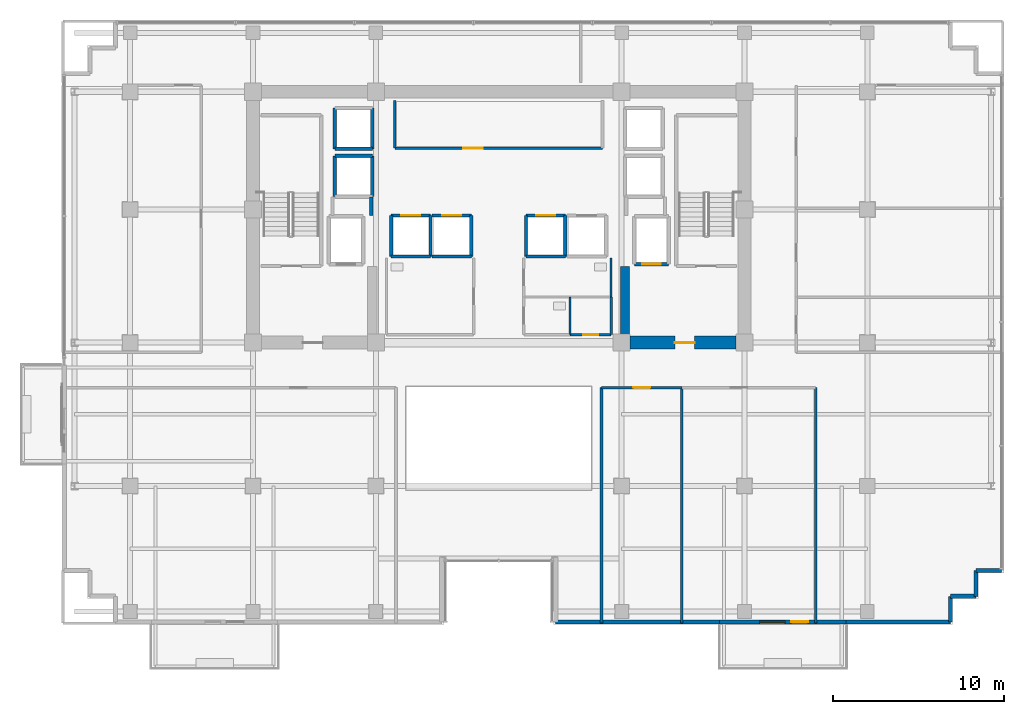
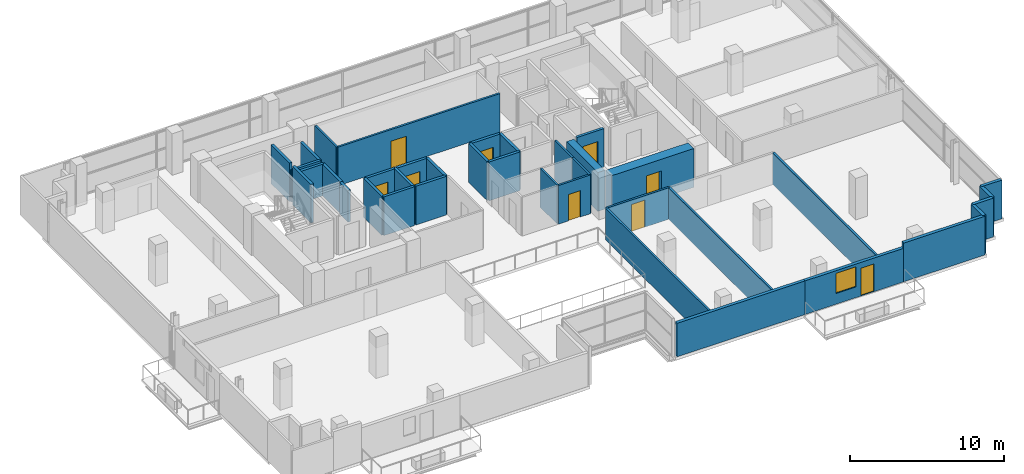
# One storey, part 16 of 23: 38 walls, 9 doors, 1 window, 10 openings.
"""IFC4 building model written with IfcOpenShell, lengths in metres."""

import ifcopenshell
import ifcopenshell.guid

model = None  # the IFC model being written
_history = None  # IfcOwnerHistory: only IFC2X3 demands one
_inside = {}  # id of a spatial element -> (the spatial element, [elements in it])
_under = {}  # id of a project, library or spatial element -> (it, [spatial elements below it])
_declared = {}  # id of a project -> (the project, [libraries it declares])
_typed = {}  # id of a type object -> (the type object, [elements of that type])
_made_of = {}  # id of a material, layer set ... -> (it, [elements and type objects made of it])


def new_model(schema):
    """Start an empty IFC model of exactly this schema.

    Asked for "IFC4X3", IfcOpenShell would pick the latest addendum, in which some entities
    have other attributes; the version numbers below select the first issue.
    IFC2X3 requires an IfcOwnerHistory on every rooted entity: one is made here for all.
    """
    global model, _history
    if schema == "IFC4X3":
        model = ifcopenshell.file(schema_version=(4, 3, 0, 0))
    else:
        model = ifcopenshell.file(schema=schema)
    _inside.clear()
    _under.clear()
    _declared.clear()
    _typed.clear()
    _made_of.clear()
    _history = None
    if model.schema == "IFC2X3":
        org = make("IfcOrganization", Name="unknown")
        user = make(
            "IfcPersonAndOrganization",
            ThePerson=make("IfcPerson", FamilyName="unknown"),
            TheOrganization=org,
        )
        app = make(
            "IfcApplication",
            ApplicationDeveloper=org,
            Version="unknown",
            ApplicationFullName="unknown",
            ApplicationIdentifier="unknown",
        )
        _history = make(
            "IfcOwnerHistory",
            OwningUser=user,
            OwningApplication=app,
            ChangeAction="ADDED",
            CreationDate=0,
        )
    return model


def make(cls, **values):
    """One entity of the class cls with the attributes given. An attribute that is None is left unset."""
    return model.create_entity(
        cls, **{name: value for name, value in values.items() if value is not None}
    )


def rooted(cls, **values):
    """An entity with a GlobalId (a new one), such as an element, a storey or a relation."""
    return make(cls, GlobalId=ifcopenshell.guid.new(), OwnerHistory=_history, **values)


def si_unit(unit_type, name, prefix=None):
    """IfcSIUnit, for example si_unit("LENGTHUNIT", "METRE", prefix="MILLI")."""
    return make("IfcSIUnit", UnitType=unit_type, Prefix=prefix, Name=name)


def assignment(units):
    """IfcUnitAssignment: the units of a project."""
    return None if units is None else make("IfcUnitAssignment", Units=units)


def point(xyz):
    """IfcCartesianPoint."""
    return None if xyz is None else make("IfcCartesianPoint", Coordinates=xyz)


def direction(xyz):
    """IfcDirection."""
    return None if xyz is None else make("IfcDirection", DirectionRatios=xyz)


def frame(location, z_axis=None, x_axis=None):
    """IfcAxis2Placement3D, a coordinate frame: its origin and axes. An axis left out is left unset."""
    return make(
        "IfcAxis2Placement3D",
        Location=point(location),
        Axis=direction(z_axis),
        RefDirection=direction(x_axis),
    )


def frame_2d(location, x_axis=None):
    """IfcAxis2Placement2D, a coordinate frame in the plane: its origin and x axis."""
    return make(
        "IfcAxis2Placement2D", Location=point(location), RefDirection=direction(x_axis)
    )


def origin():
    """The frame at (0, 0, 0) with its axes left unset."""
    return frame((0.0, 0.0, 0.0))


def place(relative_to, where):
    """IfcLocalPlacement: puts the frame where relative to a parent placement (None: the world)."""
    return make(
        "IfcLocalPlacement", PlacementRelTo=relative_to, RelativePlacement=where
    )


def context(
    kind, dimensions, precision=None, world=None, true_north=None, identifier=None
):
    """IfcGeometricRepresentationContext, for example the 3D "Model" context."""
    return make(
        "IfcGeometricRepresentationContext",
        ContextIdentifier=identifier,
        ContextType=kind,
        CoordinateSpaceDimension=dimensions,
        Precision=precision,
        WorldCoordinateSystem=world,
        TrueNorth=true_north,
    )


def subcontext(parent, identifier, kind, view, scale=None):
    """IfcGeometricRepresentationSubContext, for example "Body" below "Model"."""
    return make(
        "IfcGeometricRepresentationSubContext",
        ContextIdentifier=identifier,
        ContextType=kind,
        ParentContext=parent,
        TargetScale=scale,
        TargetView=view,
    )


def project(units=None, contexts=None):
    """IfcProject with its units and contexts."""
    return rooted(
        "IfcProject",
        Name="project",
        RepresentationContexts=contexts,
        UnitsInContext=assignment(units),
    )


def spatial(cls, under=None, at=None, **own):
    """A site, building, storey or space (cls), placed at a placement, below another one or the project."""
    s = rooted(cls, ObjectPlacement=at, **own)
    if under is not None:
        _under.setdefault(under.id(), (under, []))[1].append(s)
    return s


def profile(cls, at=None, kind="AREA", **sizes):
    """A parametric profile (cls). Its sizes go by their IFC names, for example OverallWidth=200.0."""
    return make(cls, ProfileType=kind, Position=at, **sizes)


def rectangle(**sizes):
    """IfcRectangleProfileDef."""
    return profile("IfcRectangleProfileDef", **sizes)


def extrude(swept, where, along, depth):
    """IfcExtrudedAreaSolid: the profile swept, set in the frame where, extruded along a direction by depth."""
    return make(
        "IfcExtrudedAreaSolid",
        SweptArea=swept,
        Position=where,
        ExtrudedDirection=direction(along),
        Depth=depth,
    )


def shape(context_of_items, identifier, shape_type, items):
    """IfcShapeRepresentation: the items that make up one representation, for example the "Body"."""
    return make(
        "IfcShapeRepresentation",
        ContextOfItems=context_of_items,
        RepresentationIdentifier=identifier,
        RepresentationType=shape_type,
        Items=items,
    )


def source(mapping_origin, context_of_items, identifier, shape_type, items):
    """IfcRepresentationMap: a shape defined once, which mapped items show again and again."""
    return make(
        "IfcRepresentationMap",
        MappingOrigin=mapping_origin,
        MappedRepresentation=shape(context_of_items, identifier, shape_type, items),
    )


def transform(
    local_origin,
    x_axis=None,
    y_axis=None,
    z_axis=None,
    scale=None,
    scale2=None,
    scale3=None,
    uniform=True,
):
    """IfcCartesianTransformationOperator3D, or its non-uniform kind. x_axis, y_axis, z_axis: its Axis1, 2, 3."""
    if uniform:
        return make(
            "IfcCartesianTransformationOperator3D",
            Axis1=direction(x_axis),
            Axis2=direction(y_axis),
            LocalOrigin=point(local_origin),
            Scale=scale,
            Axis3=direction(z_axis),
        )
    return make(
        "IfcCartesianTransformationOperator3DnonUniform",
        Axis1=direction(x_axis),
        Axis2=direction(y_axis),
        LocalOrigin=point(local_origin),
        Scale=scale,
        Axis3=direction(z_axis),
        Scale2=scale2,
        Scale3=scale3,
    )


def mapped(mapping_source, mapping_target):
    """IfcMappedItem: shows the shape of a source again, moved by a transform."""
    return make(
        "IfcMappedItem", MappingSource=mapping_source, MappingTarget=mapping_target
    )


def material(Name=None, Category=None):
    """IfcMaterial."""
    return make("IfcMaterial", Name=Name, Category=Category)


def layer(
    of_material, thickness, ventilated=None, Name=None, Category=None, Priority=None
):
    """IfcMaterialLayer: one layer of a wall or slab, of a material (None: an air gap)."""
    return make(
        "IfcMaterialLayer",
        Material=of_material,
        LayerThickness=thickness,
        IsVentilated=ventilated,
        Name=Name,
        Category=Category,
        Priority=Priority,
    )


def layer_set(layers, Name=None):
    """IfcMaterialLayerSet."""
    return make("IfcMaterialLayerSet", MaterialLayers=layers, LayerSetName=Name)


def made_of(thing, what):
    """Note that an element or type object is made of a material, layer set ...; save() writes the relation."""
    if what is not None:
        _made_of.setdefault(what.id(), (what, []))[1].append(thing)
    return thing


def type_object(cls, material=None, **own):
    """A type object (cls), such as IfcWallType, which elements share."""
    return made_of(rooted(cls, **own), material)


def element(
    cls,
    number,
    at=None,
    inside=None,
    cuts=None,
    type_object=None,
    material=None,
    context=None,
    identifier="Body",
    shape_type=None,
    held_by="IfcProductDefinitionShape",
    body=None,
    shapes=None,
    **own,
):
    """One element of the class cls, such as IfcWall. Its Tag is "e" and its number.

    at: its placement. inside: the storey or other place that contains it. cuts: it is an
    opening in that element (IfcRelVoidsElement). A single representation is given by context,
    identifier, shape_type and body (its items); several are given by shapes. held_by: the class
    of the entity that holds the representations. save() writes the other relations.
    """
    e = rooted(cls, Tag="e%d" % number, ObjectPlacement=at, **own)
    if body is not None:
        shapes = [shape(context, identifier, shape_type, body)]
    if shapes is not None:
        e.Representation = make(held_by, Representations=shapes)
    if inside is not None:
        _inside.setdefault(inside.id(), (inside, []))[1].append(e)
    if cuts is not None:
        rooted(
            "IfcRelVoidsElement", RelatingBuildingElement=cuts, RelatedOpeningElement=e
        )
    if type_object is not None:
        _typed.setdefault(type_object.id(), (type_object, []))[1].append(e)
    return made_of(e, material)


def fill(opening, filler):
    """IfcRelFillsElement: the door or window that sits in an opening."""
    return rooted(
        "IfcRelFillsElement",
        RelatingOpeningElement=opening,
        RelatedBuildingElement=filler,
    )


def aggregate(whole, parts):
    """IfcRelAggregates: a whole, such as a stair, and the parts it consists of."""
    return rooted("IfcRelAggregates", RelatingObject=whole, RelatedObjects=parts)


def save(model, path):
    """Write the relations noted so far, then the file.

    IfcRelAggregates (storeys below a building ...), IfcRelContainedInSpatialStructure (elements
    in a storey), IfcRelDefinesByType, IfcRelAssociatesMaterial and IfcRelDeclares: one each for
    every whole, place, type object, material and project.
    """
    for whole, parts in _under.values():
        aggregate(whole, parts)
    for where, things in _inside.values():
        rooted(
            "IfcRelContainedInSpatialStructure",
            RelatedElements=things,
            RelatingStructure=where,
        )
    for kind, things in _typed.values():
        rooted("IfcRelDefinesByType", RelatedObjects=things, RelatingType=kind)
    for what, things in _made_of.values():
        rooted("IfcRelAssociatesMaterial", RelatedObjects=things, RelatingMaterial=what)
    for by, libraries in _declared.values():
        rooted("IfcRelDeclares", RelatingContext=by, RelatedDefinitions=libraries)
    model.write(path)


model = new_model("IFC4")

# Units and contexts
model_context = context("Model", 3, precision=1e-05, world=origin(), true_north=direction((0.0, 1.0)))
body_context = subcontext(model_context, "Body", "Model", "MODEL_VIEW")
ifc_project = project(units=[si_unit("LENGTHUNIT", "METRE"), si_unit("AREAUNIT", "SQUARE_METRE"), si_unit("VOLUMEUNIT", "CUBIC_METRE"), si_unit("PLANEANGLEUNIT", "RADIAN"), si_unit("MASSUNIT", "GRAM", prefix="KILO")], contexts=[model_context])

# Site, building, storey
site_placement = place(None, origin())
site = spatial("IfcSite", under=ifc_project, at=site_placement, CompositionType="ELEMENT")
building_placement = place(site_placement, origin())
building = spatial("IfcBuilding", under=site, at=building_placement, Name="Zarnakvel Exchange Tower", CompositionType="ELEMENT")
storey_placement = place(building_placement, frame((0.0, 0.0, 123.10009765625)))
storey = spatial("IfcBuildingStorey", under=building, at=storey_placement, Name="L34", CompositionType="ELEMENT", Elevation=123.10009765625)

# Wall, opening, door
ifc_material_1 = material(Name="Concrete C60/75", Category="concrete")
ifc_layer_1 = layer(ifc_material_1, 0.75)
ifc_layer_set_1 = layer_set([ifc_layer_1], Name="Concrete C60/75")
wall_type_1 = type_object("IfcWallType", Name="CW-C3", PredefinedType="SHEAR", material=ifc_layer_set_1)
wall_1_placement = place(storey_placement, frame((13.89990234375, -1.199951171875, 0.0), z_axis=(0.0, 0.0, 1.0), x_axis=(-1.0, 0.0, 0.0)))
wall_1 = element("IfcWall", 1, at=wall_1_placement, inside=storey, type_object=wall_type_1, Name="L34 Rear Core Shear Wall SE (CW-C3)", PredefinedType="SHEAR", context=body_context, shape_type="SweptSolid", body=[
    extrude(rectangle(XDim=6.199951171875, YDim=0.75, at=frame_2d((3.10009765625, 0.0))), origin(), (0.0, 0.0, 1.0), 3.074951171875),
])
opening_1_placement = place(wall_1_placement, frame((2.425048828125, 0.0, 0.0)))
opening_1 = element("IfcOpeningElement", 2, at=opening_1_placement, cuts=wall_1, Name="Opening D-L34-04", PredefinedType="OPENING", context=body_context, shape_type="SweptSolid", body=[
    extrude(rectangle(XDim=1.14990234375, YDim=2.14990234375, at=frame_2d((0.574951171875, 1.074951171875))), frame((0.0, 0.385009765625, 0.0), z_axis=(0.0, -1.0, 0.0), x_axis=(1.0, 0.0, 0.0)), (0.0, 0.0, 1.0), 0.77001953125),
])
ifc_material_2 = material(Name="Painted Galvanised Steel S355", Category="steel")
door_type_1 = type_object("IfcDoorType", Name="DT-04", OperationType="NOTDEFINED", PredefinedType="DOOR", material=ifc_material_2)
shared_shape_1 = source(origin(), body_context, "Body", "SweptSolid", [
    extrude(rectangle(XDim=1.14990234375, YDim=2.14990234375, at=frame_2d((0.574951171875, 1.074951171875))), frame((0.0, 0.02490234375, 0.0), z_axis=(0.0, -1.0, 0.0), x_axis=(1.0, 0.0, 0.0)), (0.0, 0.0, 1.0), 0.050048828125),
])
door_1_placement = place(opening_1_placement, origin())
door_1 = element("IfcDoor", 3, at=door_1_placement, inside=storey, type_object=door_type_1, Name="L34 Firefighting Lobby East Door D-L34-04", OperationType="SINGLE_SWING_RIGHT", OverallHeight=2.14990234375, OverallWidth=1.14990234375, PredefinedType="DOOR", context=body_context, shape_type="MappedRepresentation", body=[
    mapped(shared_shape_1, transform((0.0, 0.0, 0.0), x_axis=(1.0, 0.0, 0.0), y_axis=(0.0, 1.0, 0.0), z_axis=(0.0, 0.0, 1.0), scale=1.0)),
])
fill(opening_1, door_1)

# Wall
ifc_layer_2 = layer(ifc_material_1, 0.550048828125)
ifc_layer_set_2 = layer_set([ifc_layer_2], Name="Concrete C60/75")
wall_type_2 = type_object("IfcWallType", Name="CW-C4", PredefinedType="SHEAR", material=ifc_layer_set_2)
wall_2_placement = place(storey_placement, frame((7.39990234375, -0.824951171875, 0.0), z_axis=(0.0, 0.0, 1.0), x_axis=(0.0, 1.0, 0.0)))
element("IfcWall", 4, at=wall_2_placement, inside=storey, type_object=wall_type_2, Name="L34 Rear Core Shear Wall IE (CW-C4)", PredefinedType="SHEAR", context=body_context, shape_type="SweptSolid", body=[
    extrude(rectangle(XDim=4.074951171875, YDim=0.550048828125, at=frame_2d((2.03759765625, 0.0))), origin(), (0.0, 0.0, 1.0), 3.074951171875),
])

# Wall, openings, door, window
ifc_material_3 = material(Name="Precast concrete C40/50", Category="concrete")
ifc_layer_3 = layer(ifc_material_3, 0.239990234375)
ifc_layer_set_3 = layer_set([ifc_layer_3], Name="Precast concrete C40/50")
wall_type_3 = type_object("IfcWallType", Name="EW-02", PredefinedType="SOLIDWALL", material=ifc_layer_set_3)
wall_3_placement = place(storey_placement, frame((20.35009765625, -17.56005859375, 0.0), z_axis=(0.0, 0.0, 1.0), x_axis=(-1.0, 0.0, 0.0)))
wall_3 = element("IfcWall", 5, at=wall_3_placement, inside=storey, type_object=wall_type_3, Name="L34 Exterior Precast Spandrel Wall EW-BAL-L34-SE (EW-02)", PredefinedType="SOLIDWALL", context=body_context, shape_type="SweptSolid", body=[
    extrude(rectangle(XDim=7.400146484375, YDim=0.239990234375, at=frame_2d((3.7001953125, 0.0))), origin(), (0.0, 0.0, 1.0), 2.664794921875),
])
opening_2_placement = place(wall_3_placement, frame((2.219970703125, 0.0, 0.0)))
opening_2 = element("IfcOpeningElement", 6, at=opening_2_placement, cuts=wall_3, Name="Opening BD-L34-02", PredefinedType="OPENING", context=body_context, shape_type="SweptSolid", body=[
    extrude(rectangle(XDim=1.0, YDim=2.199951171875, at=frame_2d((0.5, 1.10009765625))), frame((0.0, 0.1298828125, 0.0), z_axis=(0.0, -1.0, 0.0), x_axis=(1.0, 0.0, 0.0)), (0.0, 0.0, 1.0), 0.260009765625),
])
opening_3_placement = place(wall_3_placement, frame((3.570068359375, 0.0, 0.85009765625)))
opening_3 = element("IfcOpeningElement", 7, at=opening_3_placement, cuts=wall_3, Name="Opening WN-03", PredefinedType="OPENING", context=body_context, shape_type="SweptSolid", body=[
    extrude(rectangle(XDim=1.5, YDim=1.60009765625, at=frame_2d((0.75, 0.800048828125))), frame((0.0, 0.1298828125, 0.0), z_axis=(0.0, -1.0, 0.0), x_axis=(1.0, 0.0, 0.0)), (0.0, 0.0, 1.0), 0.260009765625),
])
ifc_material_4 = material(Name="Architectural Bronze Anodised Aluminium", Category="aluminium")
door_type_2 = type_object("IfcDoorType", Name="DT-09", OperationType="NOTDEFINED", PredefinedType="DOOR", material=ifc_material_4)
shared_shape_2 = source(origin(), body_context, "Body", "SweptSolid", [
    extrude(rectangle(XDim=1.0, YDim=2.199951171875, at=frame_2d((0.5, 1.10009765625))), frame((0.0, 0.02490234375, 0.0), z_axis=(0.0, -1.0, 0.0), x_axis=(1.0, 0.0, 0.0)), (0.0, 0.0, 1.0), 0.050048828125),
])
door_2_placement = place(opening_2_placement, origin())
door_2 = element("IfcDoor", 8, at=door_2_placement, inside=storey, type_object=door_type_2, Name="L34 Planted Loggia Balcony Door BD-L34-02", OperationType="SINGLE_SWING_LEFT", OverallHeight=2.199951171875, OverallWidth=1.0, PredefinedType="DOOR", context=body_context, shape_type="MappedRepresentation", body=[
    mapped(shared_shape_2, transform((0.0, 0.0, 0.0), x_axis=(1.0, 0.0, 0.0), y_axis=(0.0, 1.0, 0.0), z_axis=(0.0, 0.0, 1.0), scale=1.0)),
])
fill(opening_2, door_2)
ifc_material_5 = material(Name="Double Low-E Laminated Vision Glass", Category="glass")
window_type = type_object("IfcWindowType", Name="WN-03", PartitioningType="SINGLE_PANEL", PredefinedType="WINDOW", material=ifc_material_5)
shared_shape_3 = source(origin(), body_context, "Body", "SweptSolid", [
    extrude(rectangle(XDim=1.5, YDim=1.60009765625, at=frame_2d((0.75, 0.800048828125))), frame((0.0, 0.030029296875, 0.0), z_axis=(0.0, -1.0, 0.0), x_axis=(1.0, 0.0, 0.0)), (0.0, 0.0, 1.0), 0.06005859375),
])
window_placement = place(opening_3_placement, origin())
window = element("IfcWindow", 9, at=window_placement, inside=storey, type_object=window_type, Name="L34 Loggia Daylight Window (WN-03)", OverallHeight=1.60009765625, OverallWidth=1.5, PartitioningType="SINGLE_PANEL", PredefinedType="WINDOW", context=body_context, shape_type="MappedRepresentation", body=[
    mapped(shared_shape_3, transform((0.0, 0.0, 0.0), x_axis=(1.0, 0.0, 0.0), y_axis=(0.0, 1.0, 0.0), z_axis=(0.0, 0.0, 1.0), scale=1.0)),
])
fill(opening_3, window)

# Walls
for number, where, z_axis, x_axis, name in (
    (10, (27.9599609375, -14.56005859375, 0.0), (0.0, 0.0, 1.0), (1.0, 0.0, 0.0), "L34 Exterior Precast Spandrel Wall EWC-L34-11 (EW-02)"),
    (11, (27.9599609375, -16.06005859375, 0.0), (0.0, 0.0, 1.0), (0.0, 1.0, 0.0), "L34 Exterior Precast Spandrel Wall EWC-L34-12 (EW-02)"),
    (12, (26.4599609375, -16.06005859375, 0.0), (0.0, 0.0, 1.0), (1.0, 0.0, 0.0), "L34 Exterior Precast Spandrel Wall EWC-L34-13 (EW-02)"),
    (13, (26.4599609375, -17.56005859375, 0.0), (0.0, 0.0, 1.0), (0.0, 1.0, 0.0), "L34 Exterior Precast Spandrel Wall EWC-L34-14 (EW-02)"),
):
    element("IfcWall", number, at=place(storey_placement, frame(where, z_axis=z_axis, x_axis=x_axis)), inside=storey, type_object=wall_type_3, Name=name, PredefinedType="SOLIDWALL", context=body_context, shape_type="SweptSolid", body=[
        extrude(rectangle(XDim=1.5, YDim=0.239990234375, at=frame_2d((0.75, 0.0))), origin(), (0.0, 0.0, 1.0), 3.074951171875),
    ])
wall_4_placement = place(storey_placement, frame((20.35009765625, -17.56005859375, 0.0), z_axis=(0.0, 0.0, 1.0), x_axis=(1.0, 0.0, 0.0)))
element("IfcWall", 14, at=wall_4_placement, inside=storey, type_object=wall_type_3, Name="L34 Exterior Precast Spandrel Wall EWC-L34-15 (EW-02)", PredefinedType="SOLIDWALL", context=body_context, shape_type="SweptSolid", body=[
    extrude(rectangle(XDim=6.10986328125, YDim=0.239990234375, at=frame_2d((3.054931640625, 0.0))), origin(), (0.0, 0.0, 1.0), 3.074951171875),
])
wall_5_placement = place(storey_placement, frame((3.340087890625, -17.56005859375, 0.0), z_axis=(0.0, 0.0, 1.0), x_axis=(1.0, 0.0, 0.0)))
element("IfcWall", 15, at=wall_5_placement, inside=storey, type_object=wall_type_3, Name="L34 Exterior Precast Spandrel Wall EWC-L34-16 (EW-02)", PredefinedType="SOLIDWALL", context=body_context, shape_type="SweptSolid", body=[
    extrude(rectangle(XDim=9.60986328125, YDim=0.239990234375, at=frame_2d((4.804931640625, 0.0))), origin(), (0.0, 0.0, 1.0), 2.664794921875),
])

# Wall, opening, door
ifc_material_6 = material(Name="Fire-Rated Gypsum Stud Partition", Category="gypsum")
ifc_layer_4 = layer(ifc_material_6, 0.14990234375)
ifc_layer_set_4 = layer_set([ifc_layer_4], Name="Fire-Rated Gypsum Stud Partition")
wall_type_4 = type_object("IfcWallType", Name="PT-01", PredefinedType="PARTITIONING", material=ifc_layer_set_4)
wall_6_placement = place(storey_placement, frame((6.080078125, 10.199951171875, 0.0), z_axis=(0.0, 0.0, 1.0), x_axis=(-1.0, 0.0, 0.0)))
wall_6 = element("IfcWall", 16, at=wall_6_placement, inside=storey, type_object=wall_type_4, Name="L34 Partition Wall PWALL-L34-011 (PT-01)", PredefinedType="PARTITIONING", context=body_context, shape_type="SweptSolid", body=[
    extrude(rectangle(XDim=12.16015625, YDim=0.14990234375, at=frame_2d((6.080078125, 0.0))), origin(), (0.0, 0.0, 1.0), 3.074951171875),
])
opening_4_placement = place(wall_6_placement, frame((7.0048828125, 0.0, 0.0)))
opening_4 = element("IfcOpeningElement", 17, at=opening_4_placement, cuts=wall_6, Name="Opening D-L34-05", PredefinedType="OPENING", context=body_context, shape_type="SweptSolid", body=[
    extrude(rectangle(XDim=1.14990234375, YDim=2.14990234375, at=frame_2d((0.574951171875, 1.074951171875))), frame((0.0, 0.0849609375, 0.0), z_axis=(0.0, -1.0, 0.0), x_axis=(1.0, 0.0, 0.0)), (0.0, 0.0, 1.0), 0.169921875),
])
door_3_placement = place(opening_4_placement, origin())
door_3 = element("IfcDoor", 18, at=door_3_placement, inside=storey, type_object=door_type_1, Name="L34 Market Data Archive Suite Door D-L34-05", OperationType="SINGLE_SWING_LEFT", OverallHeight=2.14990234375, OverallWidth=1.14990234375, PredefinedType="DOOR", context=body_context, shape_type="MappedRepresentation", body=[
    mapped(shared_shape_1, transform((0.0, 0.0, 0.0), x_axis=(1.0, 0.0, 0.0), y_axis=(0.0, 1.0, 0.0), z_axis=(0.0, 0.0, 1.0), scale=1.0)),
])
fill(opening_4, door_3)

# Wall
wall_7_placement = place(storey_placement, frame((-6.080078125, 10.199951171875, 0.0), z_axis=(0.0, 0.0, 1.0), x_axis=(0.0, 1.0, 0.0)))
element("IfcWall", 19, at=wall_7_placement, inside=storey, type_object=wall_type_4, Name="L34 Partition Wall PWALL-L34-012 (PT-01)", PredefinedType="PARTITIONING", context=body_context, shape_type="SweptSolid", body=[
    extrude(rectangle(XDim=2.800048828125, YDim=0.14990234375, at=frame_2d((1.39990234375, 0.0))), origin(), (0.0, 0.0, 1.0), 3.074951171875),
])

# Wall, opening, door
wall_8_placement = place(storey_placement, frame((6.580078125, -0.72998046875, 0.0), z_axis=(0.0, 0.0, 1.0), x_axis=(-1.0, 0.0, 0.0)))
wall_8 = element("IfcWall", 20, at=wall_8_placement, inside=storey, type_object=wall_type_4, Name="L34 Partition Wall PWALL-L34-023 (PT-01)", PredefinedType="PARTITIONING", context=body_context, shape_type="SweptSolid", body=[
    extrude(rectangle(XDim=2.400146484375, YDim=0.14990234375, at=frame_2d((1.2001953125, 0.0))), origin(), (0.0, 0.0, 1.0), 3.074951171875),
])
opening_5_placement = place(wall_8_placement, frame((0.760009765625, 0.0, 0.0)))
opening_5 = element("IfcOpeningElement", 21, at=opening_5_placement, cuts=wall_8, Name="Opening D-L34-09", PredefinedType="OPENING", context=body_context, shape_type="SweptSolid", body=[
    extrude(rectangle(XDim=0.8798828125, YDim=2.10009765625, at=frame_2d((0.43994140625, 1.050048828125))), frame((0.0, 0.0849609375, 0.0), z_axis=(0.0, -1.0, 0.0), x_axis=(1.0, 0.0, 0.0)), (0.0, 0.0, 1.0), 0.169921875),
])
door_type_3 = type_object("IfcDoorType", Name="DT-08", OperationType="NOTDEFINED", PredefinedType="DOOR", material=ifc_material_2)
shared_shape_4 = source(origin(), body_context, "Body", "SweptSolid", [
    extrude(rectangle(XDim=0.8798828125, YDim=2.10009765625, at=frame_2d((0.43994140625, 1.050048828125))), frame((0.0, 0.02490234375, 0.0), z_axis=(0.0, -1.0, 0.0), x_axis=(1.0, 0.0, 0.0)), (0.0, 0.0, 1.0), 0.050048828125),
])
door_4_placement = place(opening_5_placement, origin())
door_4 = element("IfcDoor", 22, at=door_4_placement, inside=storey, type_object=door_type_3, Name="L34 Cleaners Store Door D-L34-09", OperationType="SINGLE_SWING_LEFT", OverallHeight=2.10009765625, OverallWidth=0.8798828125, PredefinedType="DOOR", context=body_context, shape_type="MappedRepresentation", body=[
    mapped(shared_shape_4, transform((0.0, 0.0, 0.0), x_axis=(1.0, 0.0, 0.0), y_axis=(0.0, 1.0, 0.0), z_axis=(0.0, 0.0, 1.0), scale=1.0)),
])
fill(opening_5, door_4)

# Wall
wall_9_placement = place(storey_placement, frame((6.580078125, 1.47998046875, 0.0), z_axis=(0.0, 0.0, 1.0), x_axis=(0.0, -1.0, 0.0)))
element("IfcWall", 23, at=wall_9_placement, inside=storey, type_object=wall_type_4, Name="L34 Partition Wall PWALL-L34-024 (PT-01)", PredefinedType="PARTITIONING", context=body_context, shape_type="SweptSolid", body=[
    extrude(rectangle(XDim=2.2099609375, YDim=0.14990234375, at=frame_2d((1.10498046875, 0.0))), origin(), (0.0, 0.0, 1.0), 3.074951171875),
])

# Wall, opening, door
wall_10_placement = place(storey_placement, frame((6.02001953125, -3.830078125, 0.0), z_axis=(0.0, 0.0, 1.0), x_axis=(1.0, 0.0, 0.0)))
wall_10 = element("IfcWall", 24, at=wall_10_placement, inside=storey, type_object=wall_type_4, Name="L34 Partition Wall PWALL-L34-030 (PT-01)", PredefinedType="PARTITIONING", context=body_context, shape_type="SweptSolid", body=[
    extrude(rectangle(XDim=4.708984375, YDim=0.14990234375, at=frame_2d((2.3544921875, 0.0))), origin(), (0.0, 0.0, 1.0), 2.514892578125),
])
opening_6_placement = place(wall_10_placement, frame((1.864990234375, 0.0, 0.0)))
opening_6 = element("IfcOpeningElement", 25, at=opening_6_placement, cuts=wall_10, Name="Opening D-L34-11", PredefinedType="OPENING", context=body_context, shape_type="SweptSolid", body=[
    extrude(rectangle(XDim=0.97998046875, YDim=2.14990234375, at=frame_2d((0.489990234375, 1.074951171875))), frame((0.0, 0.0849609375, 0.0), z_axis=(0.0, -1.0, 0.0), x_axis=(1.0, 0.0, 0.0)), (0.0, 0.0, 1.0), 0.169921875),
])
ifc_material_7 = material(Name="Timber Acoustic Veneer", Category="wood")
door_type_4 = type_object("IfcDoorType", Name="DT-05", OperationType="NOTDEFINED", PredefinedType="DOOR", material=ifc_material_7)
shared_shape_5 = source(origin(), body_context, "Body", "SweptSolid", [
    extrude(rectangle(XDim=0.97998046875, YDim=2.14990234375, at=frame_2d((0.489990234375, 1.074951171875))), frame((0.0, 0.02490234375, 0.0), z_axis=(0.0, -1.0, 0.0), x_axis=(1.0, 0.0, 0.0)), (0.0, 0.0, 1.0), 0.050048828125),
])
door_5_placement = place(opening_6_placement, origin())
door_5 = element("IfcDoor", 26, at=door_5_placement, inside=storey, type_object=door_type_4, Name="L34 Meeting Room Door D-L34-11", OperationType="SINGLE_SWING_LEFT", OverallHeight=2.14990234375, OverallWidth=0.97998046875, PredefinedType="DOOR", context=body_context, shape_type="MappedRepresentation", body=[
    mapped(shared_shape_5, transform((0.0, 0.0, 0.0), x_axis=(1.0, 0.0, 0.0), y_axis=(0.0, 1.0, 0.0), z_axis=(0.0, 0.0, 1.0), scale=1.0)),
])
fill(opening_6, door_5)

# Walls
for number, where, z_axis, x_axis, name in (
    (27, (6.02001953125, -17.6298828125, 0.0), (0.0, 0.0, 1.0), (0.0, 1.0, 0.0), "L34 Partition Wall PWALL-L34-031 (PT-01)"),
    (28, (10.72900390625, -3.830078125, 0.0), (0.0, 0.0, 1.0), (0.0, -1.0, 0.0), "L34 Partition Wall PWALL-L34-032 (PT-01)"),
    (29, (18.56591796875, -3.830078125, 0.0), (0.0, 0.0, 1.0), (0.0, -1.0, 0.0), "L34 Partition Wall PWALL-L34-035 (PT-01)"),
):
    element("IfcWall", number, at=place(storey_placement, frame(where, z_axis=z_axis, x_axis=x_axis)), inside=storey, type_object=wall_type_4, Name=name, PredefinedType="PARTITIONING", context=body_context, shape_type="SweptSolid", body=[
        extrude(rectangle(XDim=13.7998046875, YDim=0.14990234375, at=frame_2d((6.89990234375, 0.0))), origin(), (0.0, 0.0, 1.0), 2.514892578125),
    ])
ifc_layer_5 = layer(ifc_material_6, 0.179931640625)
ifc_layer_set_5 = layer_set([ifc_layer_5], Name="Fire-Rated Gypsum Stud Partition")
wall_type_5 = type_object("IfcWallType", Name="PT-02", PredefinedType="PARTITIONING", material=ifc_layer_set_5)
wall_11_placement = place(storey_placement, frame((-7.469970703125, 7.330078125, 0.0), z_axis=(0.0, 0.0, 1.0), x_axis=(0.0, -1.0, 0.0)))
element("IfcWall", 30, at=wall_11_placement, inside=storey, type_object=wall_type_5, Name="L34 Partition Wall PWALL-L34-008 (PT-02)", PredefinedType="PARTITIONING", context=body_context, shape_type="SweptSolid", body=[
    extrude(rectangle(XDim=1.090087890625, YDim=0.179931640625, at=frame_2d((0.544921875, 0.0))), origin(), (0.0, 0.0, 1.0), 2.514892578125),
])
ifc_material_8 = material(Name="Moisture-Resistant Tile-Faced Partition", Category="gypsum")
ifc_layer_6 = layer(ifc_material_8, 0.135009765625)
ifc_layer_set_6 = layer_set([ifc_layer_6], Name="Moisture-Resistant Tile-Faced Partition")
wall_type_6 = type_object("IfcWallType", Name="PT-03", PredefinedType="PARTITIONING", material=ifc_layer_set_6)
wall_12_placement = place(storey_placement, frame((6.580078125, 3.760009765625, 0.0), z_axis=(0.0, 0.0, 1.0), x_axis=(0.0, -1.0, 0.0)))
element("IfcWall", 31, at=wall_12_placement, inside=storey, type_object=wall_type_6, Name="L34 Partition Wall PWALL-L34-019 (PT-03)", PredefinedType="PARTITIONING", context=body_context, shape_type="SweptSolid", body=[
    extrude(rectangle(XDim=2.280029296875, YDim=0.135009765625, at=frame_2d((1.14013671875, 0.0))), origin(), (0.0, 0.0, 1.0), 3.074951171875),
])
wall_13_placement = place(storey_placement, frame((4.179931640625, 1.47998046875, 0.0), z_axis=(0.0, 0.0, 1.0), x_axis=(0.0, -1.0, 0.0)))
element("IfcWall", 32, at=wall_13_placement, inside=storey, type_object=wall_type_6, Name="L34 Partition Wall PWALL-L34-022 (PT-03)", PredefinedType="PARTITIONING", context=body_context, shape_type="SweptSolid", body=[
    extrude(rectangle(XDim=2.2099609375, YDim=0.135009765625, at=frame_2d((1.10498046875, 0.0))), origin(), (0.0, 0.0, 1.0), 3.074951171875),
])

# Wall, opening, door
ifc_material_9 = material(Name="Concrete C40/50", Category="concrete")
ifc_layer_7 = layer(ifc_material_9, 0.199951171875)
ifc_layer_set_7 = layer_set([ifc_layer_7], Name="Concrete C40/50")
wall_type_7 = type_object("IfcWallType", Name="SW-01", PredefinedType="SOLIDWALL", material=ifc_layer_set_7)
wall_14_placement = place(storey_placement, frame((9.949951171875, 3.39990234375, 0.0), z_axis=(0.0, 0.0, 1.0), x_axis=(-1.0, 0.0, 0.0)))
wall_14 = element("IfcWall", 33, at=wall_14_placement, inside=storey, type_object=wall_type_7, Name="L34 FL-02 Hoistway Wall South", PredefinedType="SOLIDWALL", context=body_context, shape_type="SweptSolid", body=[
    extrude(rectangle(XDim=2.0, YDim=0.199951171875, at=frame_2d((1.0, 0.0))), origin(), (0.0, 0.0, 1.0), 3.074951171875),
])
opening_7_placement = place(wall_14_placement, frame((0.449951171875, 0.0, 0.0)))
opening_7 = element("IfcOpeningElement", 34, at=opening_7_placement, cuts=wall_14, Name="Opening LD-FL-02-L34", PredefinedType="OPENING", context=body_context, shape_type="SweptSolid", body=[
    extrude(rectangle(XDim=1.10009765625, YDim=2.199951171875, at=frame_2d((0.550048828125, 1.10009765625))), frame((0.0, 0.10986328125, 0.0), z_axis=(0.0, -1.0, 0.0), x_axis=(1.0, 0.0, 0.0)), (0.0, 0.0, 1.0), 0.219970703125),
])
ifc_material_10 = material(Name="Brushed Stainless Steel", Category="steel")
door_type_5 = type_object("IfcDoorType", Name="LDT-01", OperationType="NOTDEFINED", PredefinedType="DOOR", material=ifc_material_10)
shared_shape_6 = source(origin(), body_context, "Body", "SweptSolid", [
    extrude(rectangle(XDim=1.10009765625, YDim=2.199951171875, at=frame_2d((0.550048828125, 1.10009765625))), frame((0.0, 0.02490234375, 0.0), z_axis=(0.0, -1.0, 0.0), x_axis=(1.0, 0.0, 0.0)), (0.0, 0.0, 1.0), 0.050048828125),
])
door_6_placement = place(opening_7_placement, origin())
door_6 = element("IfcDoor", 35, at=door_6_placement, inside=storey, type_object=door_type_5, Name="L34 FL-02 Lift Landing Door LD-FL-02-L34", OperationType="DOUBLE_DOOR_SLIDING", OverallHeight=2.199951171875, OverallWidth=1.10009765625, PredefinedType="DOOR", context=body_context, shape_type="MappedRepresentation", body=[
    mapped(shared_shape_6, transform((0.0, 0.0, 0.0), x_axis=(1.0, 0.0, 0.0), y_axis=(0.0, 1.0, 0.0), z_axis=(0.0, 0.0, 1.0), scale=1.0)),
])
fill(opening_7, door_6)

# Wall
wall_15_placement = place(storey_placement, frame((-4.0, 3.85009765625, 0.0), z_axis=(0.0, 0.0, 1.0), x_axis=(-1.0, 0.0, 0.0)))
element("IfcWall", 36, at=wall_15_placement, inside=storey, type_object=wall_type_7, Name="L34 PL-05 Hoistway Wall South", PredefinedType="SOLIDWALL", context=body_context, shape_type="SweptSolid", body=[
    extrude(rectangle(XDim=2.300048828125, YDim=0.199951171875, at=frame_2d((1.14990234375, 0.0))), origin(), (0.0, 0.0, 1.0), 3.074951171875),
])

# Wall, opening, door
wall_16_placement = place(storey_placement, frame((-6.300048828125, 6.25, 0.0), z_axis=(0.0, 0.0, 1.0), x_axis=(1.0, 0.0, 0.0)))
wall_16 = element("IfcWall", 37, at=wall_16_placement, inside=storey, type_object=wall_type_7, Name="L34 PL-05 Hoistway Wall North", PredefinedType="SOLIDWALL", context=body_context, shape_type="SweptSolid", body=[
    extrude(rectangle(XDim=2.300048828125, YDim=0.199951171875, at=frame_2d((1.14990234375, 0.0))), origin(), (0.0, 0.0, 1.0), 3.074951171875),
])
opening_8_placement = place(wall_16_placement, frame((0.60009765625, 0.0, 0.0)))
opening_8 = element("IfcOpeningElement", 38, at=opening_8_placement, cuts=wall_16, Name="Opening LD-PL-05-L34", PredefinedType="OPENING", context=body_context, shape_type="SweptSolid", body=[
    extrude(rectangle(XDim=1.10009765625, YDim=2.199951171875, at=frame_2d((0.550048828125, 1.10009765625))), frame((0.0, 0.10986328125, 0.0), z_axis=(0.0, -1.0, 0.0), x_axis=(1.0, 0.0, 0.0)), (0.0, 0.0, 1.0), 0.219970703125),
])
door_type_6 = type_object("IfcDoorType", Name="LDT-02", OperationType="NOTDEFINED", PredefinedType="DOOR", material=ifc_material_4)
door_7_placement = place(opening_8_placement, origin())
door_7 = element("IfcDoor", 39, at=door_7_placement, inside=storey, type_object=door_type_6, Name="L34 PL-05 Lift Landing Door LD-PL-05-L34", OperationType="DOUBLE_DOOR_SLIDING", OverallHeight=2.199951171875, OverallWidth=1.10009765625, PredefinedType="DOOR", context=body_context, shape_type="MappedRepresentation", body=[
    mapped(shared_shape_6, transform((0.0, 0.0, 0.0), x_axis=(1.0, 0.0, 0.0), y_axis=(0.0, 1.0, 0.0), z_axis=(0.0, 0.0, 1.0), scale=1.0)),
])
fill(opening_8, door_7)

# Walls
for number, where, z_axis, x_axis, name in (
    (40, (-6.300048828125, 3.85009765625, 0.0), (0.0, 0.0, 1.0), (0.0, 1.0, 0.0), "L34 PL-05 Hoistway Wall West"),
    (41, (-4.0, 6.25, 0.0), (0.0, 0.0, 1.0), (0.0, -1.0, 0.0), "L34 PL-05 Hoistway Wall East"),
):
    element("IfcWall", number, at=place(storey_placement, frame(where, z_axis=z_axis, x_axis=x_axis)), inside=storey, type_object=wall_type_7, Name=name, PredefinedType="SOLIDWALL", context=body_context, shape_type="SweptSolid", body=[
        extrude(rectangle(XDim=2.39990234375, YDim=0.199951171875, at=frame_2d((1.199951171875, 0.0))), origin(), (0.0, 0.0, 1.0), 3.074951171875),
    ])
wall_17_placement = place(storey_placement, frame((-1.60009765625, 3.85009765625, 0.0), z_axis=(0.0, 0.0, 1.0), x_axis=(-1.0, 0.0, 0.0)))
element("IfcWall", 42, at=wall_17_placement, inside=storey, type_object=wall_type_7, Name="L34 PL-06 Hoistway Wall South", PredefinedType="SOLIDWALL", context=body_context, shape_type="SweptSolid", body=[
    extrude(rectangle(XDim=2.2998046875, YDim=0.199951171875, at=frame_2d((1.14990234375, 0.0))), origin(), (0.0, 0.0, 1.0), 3.074951171875),
])

# Wall, opening, door
wall_18_placement = place(storey_placement, frame((-3.89990234375, 6.25, 0.0), z_axis=(0.0, 0.0, 1.0), x_axis=(1.0, 0.0, 0.0)))
wall_18 = element("IfcWall", 43, at=wall_18_placement, inside=storey, type_object=wall_type_7, Name="L34 PL-06 Hoistway Wall North", PredefinedType="SOLIDWALL", context=body_context, shape_type="SweptSolid", body=[
    extrude(rectangle(XDim=2.2998046875, YDim=0.199951171875, at=frame_2d((1.14990234375, 0.0))), origin(), (0.0, 0.0, 1.0), 3.074951171875),
])
opening_9_placement = place(wall_18_placement, frame((0.60009765625, 0.0, 0.0)))
opening_9 = element("IfcOpeningElement", 44, at=opening_9_placement, cuts=wall_18, Name="Opening LD-PL-06-L34", PredefinedType="OPENING", context=body_context, shape_type="SweptSolid", body=[
    extrude(rectangle(XDim=1.10009765625, YDim=2.199951171875, at=frame_2d((0.550048828125, 1.10009765625))), frame((0.0, 0.10986328125, 0.0), z_axis=(0.0, -1.0, 0.0), x_axis=(1.0, 0.0, 0.0)), (0.0, 0.0, 1.0), 0.219970703125),
])
door_8_placement = place(opening_9_placement, origin())
door_8 = element("IfcDoor", 45, at=door_8_placement, inside=storey, type_object=door_type_6, Name="L34 PL-06 Lift Landing Door LD-PL-06-L34", OperationType="DOUBLE_DOOR_SLIDING", OverallHeight=2.199951171875, OverallWidth=1.10009765625, PredefinedType="DOOR", context=body_context, shape_type="MappedRepresentation", body=[
    mapped(shared_shape_6, transform((0.0, 0.0, 0.0), x_axis=(1.0, 0.0, 0.0), y_axis=(0.0, 1.0, 0.0), z_axis=(0.0, 0.0, 1.0), scale=1.0)),
])
fill(opening_9, door_8)

# Walls
wall_19_placement = place(storey_placement, frame((-1.60009765625, 6.25, 0.0), z_axis=(0.0, 0.0, 1.0), x_axis=(0.0, -1.0, 0.0)))
element("IfcWall", 46, at=wall_19_placement, inside=storey, type_object=wall_type_7, Name="L34 PL-06 Hoistway Wall East", PredefinedType="SOLIDWALL", context=body_context, shape_type="SweptSolid", body=[
    extrude(rectangle(XDim=2.39990234375, YDim=0.199951171875, at=frame_2d((1.199951171875, 0.0))), origin(), (0.0, 0.0, 1.0), 3.074951171875),
])
wall_20_placement = place(storey_placement, frame((3.89990234375, 3.85009765625, 0.0), z_axis=(0.0, 0.0, 1.0), x_axis=(-1.0, 0.0, 0.0)))
element("IfcWall", 47, at=wall_20_placement, inside=storey, type_object=wall_type_7, Name="L34 PL-07 Hoistway Wall South", PredefinedType="SOLIDWALL", context=body_context, shape_type="SweptSolid", body=[
    extrude(rectangle(XDim=2.2998046875, YDim=0.199951171875, at=frame_2d((1.14990234375, 0.0))), origin(), (0.0, 0.0, 1.0), 3.074951171875),
])

# Wall, opening, door
wall_21_placement = place(storey_placement, frame((1.60009765625, 6.25, 0.0), z_axis=(0.0, 0.0, 1.0), x_axis=(1.0, 0.0, 0.0)))
wall_21 = element("IfcWall", 48, at=wall_21_placement, inside=storey, type_object=wall_type_7, Name="L34 PL-07 Hoistway Wall North", PredefinedType="SOLIDWALL", context=body_context, shape_type="SweptSolid", body=[
    extrude(rectangle(XDim=2.2998046875, YDim=0.199951171875, at=frame_2d((1.14990234375, 0.0))), origin(), (0.0, 0.0, 1.0), 3.074951171875),
])
opening_10_placement = place(wall_21_placement, frame((0.60009765625, 0.0, 0.0)))
opening_10 = element("IfcOpeningElement", 49, at=opening_10_placement, cuts=wall_21, Name="Opening LD-PL-07-L34", PredefinedType="OPENING", context=body_context, shape_type="SweptSolid", body=[
    extrude(rectangle(XDim=1.10009765625, YDim=2.199951171875, at=frame_2d((0.550048828125, 1.10009765625))), frame((0.0, 0.10986328125, 0.0), z_axis=(0.0, -1.0, 0.0), x_axis=(1.0, 0.0, 0.0)), (0.0, 0.0, 1.0), 0.219970703125),
])
door_9_placement = place(opening_10_placement, origin())
door_9 = element("IfcDoor", 50, at=door_9_placement, inside=storey, type_object=door_type_6, Name="L34 PL-07 Lift Landing Door LD-PL-07-L34", OperationType="DOUBLE_DOOR_SLIDING", OverallHeight=2.199951171875, OverallWidth=1.10009765625, PredefinedType="DOOR", context=body_context, shape_type="MappedRepresentation", body=[
    mapped(shared_shape_6, transform((0.0, 0.0, 0.0), x_axis=(1.0, 0.0, 0.0), y_axis=(0.0, 1.0, 0.0), z_axis=(0.0, 0.0, 1.0), scale=1.0)),
])
fill(opening_10, door_9)

# Walls
for number, where, z_axis, x_axis, name in (
    (51, (1.60009765625, 3.85009765625, 0.0), (0.0, 0.0, 1.0), (0.0, 1.0, 0.0), "L34 PL-07 Hoistway Wall West"),
    (52, (3.89990234375, 6.25, 0.0), (0.0, 0.0, 1.0), (0.0, -1.0, 0.0), "L34 PL-07 Hoistway Wall East"),
):
    element("IfcWall", number, at=place(storey_placement, frame(where, z_axis=z_axis, x_axis=x_axis)), inside=storey, type_object=wall_type_7, Name=name, PredefinedType="SOLIDWALL", context=body_context, shape_type="SweptSolid", body=[
        extrude(rectangle(XDim=2.39990234375, YDim=0.199951171875, at=frame_2d((1.199951171875, 0.0))), origin(), (0.0, 0.0, 1.0), 3.074951171875),
    ])
wall_22_placement = place(storey_placement, frame((-9.60009765625, 9.75, 0.0), z_axis=(0.0, 0.0, 1.0), x_axis=(1.0, 0.0, 0.0)))
element("IfcWall", 53, at=wall_22_placement, inside=storey, type_object=wall_type_7, Name="L34 PL-09 Hoistway Wall North", PredefinedType="SOLIDWALL", context=body_context, shape_type="SweptSolid", body=[
    extrude(rectangle(XDim=2.2001953125, YDim=0.199951171875, at=frame_2d((1.10009765625, 0.0))), origin(), (0.0, 0.0, 1.0), 2.514892578125),
])
wall_23_placement = place(storey_placement, frame((-9.60009765625, 7.35009765625, 0.0), z_axis=(0.0, 0.0, 1.0), x_axis=(0.0, 1.0, 0.0)))
element("IfcWall", 54, at=wall_23_placement, inside=storey, type_object=wall_type_7, Name="L34 PL-09 Hoistway Wall West", PredefinedType="SOLIDWALL", context=body_context, shape_type="SweptSolid", body=[
    extrude(rectangle(XDim=2.39990234375, YDim=0.199951171875, at=frame_2d((1.199951171875, 0.0))), origin(), (0.0, 0.0, 1.0), 3.074951171875),
])
wall_24_placement = place(storey_placement, frame((-7.39990234375, 9.75, 0.0), z_axis=(0.0, 0.0, 1.0), x_axis=(0.0, -1.0, 0.0)))
element("IfcWall", 55, at=wall_24_placement, inside=storey, type_object=wall_type_7, Name="L34 PL-09 Hoistway Wall East", PredefinedType="SOLIDWALL", context=body_context, shape_type="SweptSolid", body=[
    extrude(rectangle(XDim=2.39990234375, YDim=0.199951171875, at=frame_2d((1.199951171875, 0.0))), origin(), (0.0, 0.0, 1.0), 2.514892578125),
])
wall_25_placement = place(storey_placement, frame((-7.39990234375, 10.14990234375, 0.0), z_axis=(0.0, 0.0, 1.0), x_axis=(-1.0, 0.0, 0.0)))
element("IfcWall", 56, at=wall_25_placement, inside=storey, type_object=wall_type_7, Name="L34 PL-10 Hoistway Wall South", PredefinedType="SOLIDWALL", context=body_context, shape_type="SweptSolid", body=[
    extrude(rectangle(XDim=2.2001953125, YDim=0.199951171875, at=frame_2d((1.10009765625, 0.0))), origin(), (0.0, 0.0, 1.0), 2.514892578125),
])
wall_26_placement = place(storey_placement, frame((-9.60009765625, 10.14990234375, 0.0), z_axis=(0.0, 0.0, 1.0), x_axis=(0.0, 1.0, 0.0)))
element("IfcWall", 57, at=wall_26_placement, inside=storey, type_object=wall_type_7, Name="L34 PL-10 Hoistway Wall West", PredefinedType="SOLIDWALL", context=body_context, shape_type="SweptSolid", body=[
    extrude(rectangle(XDim=2.400146484375, YDim=0.199951171875, at=frame_2d((1.2001953125, 0.0))), origin(), (0.0, 0.0, 1.0), 3.074951171875),
])
wall_27_placement = place(storey_placement, frame((-7.39990234375, 12.550048828125, 0.0), z_axis=(0.0, 0.0, 1.0), x_axis=(0.0, -1.0, 0.0)))
element("IfcWall", 58, at=wall_27_placement, inside=storey, type_object=wall_type_7, Name="L34 PL-10 Hoistway Wall East", PredefinedType="SOLIDWALL", context=body_context, shape_type="SweptSolid", body=[
    extrude(rectangle(XDim=2.400146484375, YDim=0.199951171875, at=frame_2d((1.2001953125, 0.0))), origin(), (0.0, 0.0, 1.0), 2.514892578125),
])

save(model, "model.ifc")
